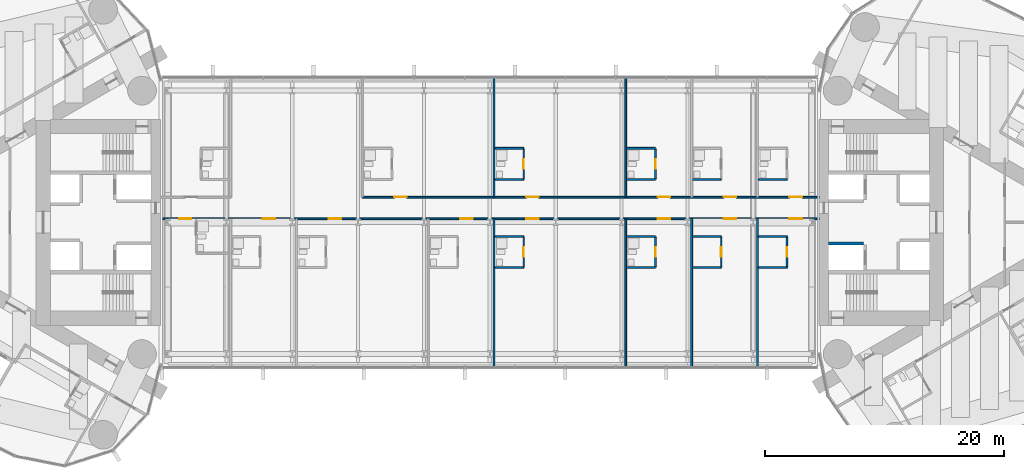
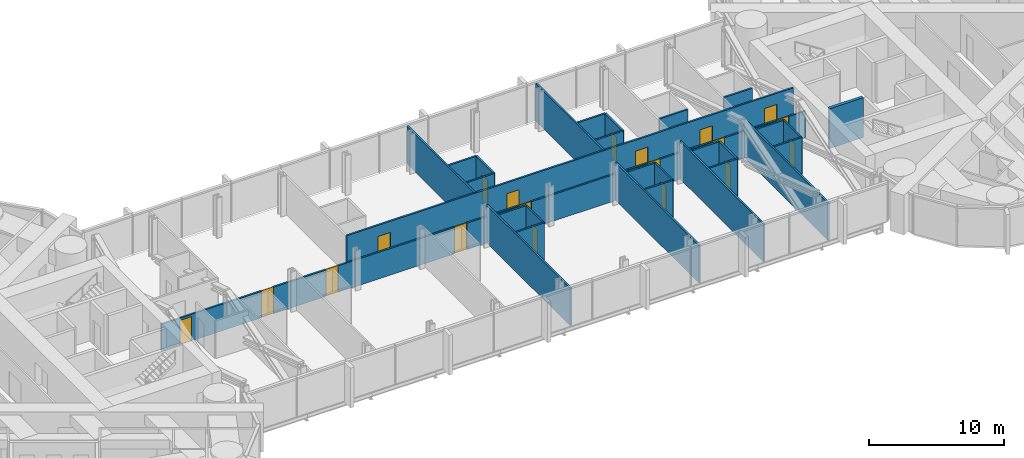
# One storey, part 18 of 23: 29 walls, 19 doors, 19 openings.
"""IFC4 building model written with IfcOpenShell, lengths in metres."""

from ifc_helpers import new_model, si_unit, direction, frame, frame_2d, origin, place, context, subcontext, project, spatial, rectangle, extrude, material, layer, layer_set, type_object, element, fill, save


model = new_model("IFC4")

# Units and contexts
model_context = context("Model", 3, precision=1e-05, world=origin(), true_north=direction((0.0, 1.0)))
body_context = subcontext(model_context, "Body", "Model", "MODEL_VIEW")
ifc_project = project(units=[si_unit("LENGTHUNIT", "METRE"), si_unit("AREAUNIT", "SQUARE_METRE"), si_unit("VOLUMEUNIT", "CUBIC_METRE"), si_unit("PLANEANGLEUNIT", "RADIAN"), si_unit("MASSUNIT", "GRAM", prefix="KILO")], contexts=[model_context])

# Site, building, storey
site_placement = place(None, origin())
site = spatial("IfcSite", under=ifc_project, at=site_placement, CompositionType="ELEMENT")
building_placement = place(site_placement, origin())
building = spatial("IfcBuilding", under=site, at=building_placement, Name="Lancet Gate Hotel", CompositionType="ELEMENT")
storey_placement = place(building_placement, frame((0.0, 0.0, 240.5)))
storey = spatial("IfcBuildingStorey", under=building, at=storey_placement, Name="L64", CompositionType="ELEMENT", Elevation=240.5)

# Walls
ifc_material_1 = material(Name="Moisture resistant board partition")
ifc_layer_1 = layer(ifc_material_1, 0.14990234375)
ifc_layer_set_1 = layer_set([ifc_layer_1], Name="Bathroom wall 150")
wall_type_1 = type_object("IfcWallType", Name="Bathroom wall 150", PredefinedType="PARTITIONING", material=ifc_layer_set_1)
for number, where, z_axis, x_axis, name in (
    (1, (0.425048828125, -3.77490234375, 0.0), (0.0, 0.0, 1.0), (1.0, 0.0, 0.0), "Bridge block bathroom wall 150 L64"),
    (2, (0.425048828125, -1.175048828125, 0.0), (0.0, 0.0, 1.0), (1.0, 0.0, 0.0), "Bridge block bathroom wall 150 L64"),
):
    element("IfcWall", number, at=place(storey_placement, frame(where, z_axis=z_axis, x_axis=x_axis)), inside=storey, type_object=wall_type_1, Name=name, PredefinedType="PARTITIONING", context=body_context, shape_type="SweptSolid", body=[
        extrude(rectangle(XDim=2.39990234375, YDim=0.14990234375, at=frame_2d((1.199951171875, 0.0))), origin(), (0.0, 0.0, 1.0), 3.39990234375),
    ])

# Wall, opening, door
wall_1_placement = place(storey_placement, frame((2.824951171875, -3.77490234375, 0.0), z_axis=(0.0, 0.0, 1.0), x_axis=(0.0, 1.0, 0.0)))
wall_1 = element("IfcWall", 3, at=wall_1_placement, inside=storey, type_object=wall_type_1, Name="Bridge block bathroom wall 150 L64", PredefinedType="PARTITIONING", context=body_context, shape_type="SweptSolid", body=[
    extrude(rectangle(XDim=2.599853515625, YDim=0.14990234375, at=frame_2d((1.2998046875, 0.0))), origin(), (0.0, 0.0, 1.0), 3.39990234375),
])
opening_1_placement = place(wall_1_placement, frame((0.89990234375, 0.0, 0.0)))
opening_1 = element("IfcOpeningElement", 4, at=opening_1_placement, cuts=wall_1, Name="Opening B6406-B", PredefinedType="OPENING", context=body_context, shape_type="SweptSolid", body=[
    extrude(rectangle(XDim=0.800048828125, YDim=2.199951171875, at=frame_2d((0.39990234375, 1.10009765625))), frame((0.0, 0.0849609375, 0.0), z_axis=(0.0, -1.0, 0.0), x_axis=(1.0, 0.0, 0.0)), (0.0, 0.0, 1.0), 0.169921875),
])
ifc_material_2 = material(Name="Timber door set", Category="wood")
door_type_1 = type_object("IfcDoorType", Name="Bathroom door 800", OperationType="SINGLE_SWING_RIGHT", PredefinedType="DOOR", material=ifc_material_2)
door_1_placement = place(opening_1_placement, origin())
door_1 = element("IfcDoor", 5, at=door_1_placement, inside=storey, type_object=door_type_1, Name="B6406-B", OperationType="SINGLE_SWING_RIGHT", OverallHeight=2.199951171875, OverallWidth=0.800048828125, PredefinedType="DOOR", context=body_context, shape_type="SweptSolid", body=[
    extrude(rectangle(XDim=0.800048828125, YDim=2.199951171875, at=frame_2d((0.39990234375, 1.10009765625))), frame((0.0, 0.02490234375, 0.0), z_axis=(0.0, -1.0, 0.0), x_axis=(1.0, 0.0, 0.0)), (0.0, 0.0, 1.0), 0.050048828125),
])
fill(opening_1, door_1)

# Walls
for number, where, z_axis, x_axis, name in (
    (6, (11.425048828125, -3.77490234375, 0.0), (0.0, 0.0, 1.0), (1.0, 0.0, 0.0), "Bridge block bathroom wall 150 L64"),
    (7, (11.425048828125, -1.175048828125, 0.0), (0.0, 0.0, 1.0), (1.0, 0.0, 0.0), "Bridge block bathroom wall 150 L64"),
):
    element("IfcWall", number, at=place(storey_placement, frame(where, z_axis=z_axis, x_axis=x_axis)), inside=storey, type_object=wall_type_1, Name=name, PredefinedType="PARTITIONING", context=body_context, shape_type="SweptSolid", body=[
        extrude(rectangle(XDim=2.39990234375, YDim=0.14990234375, at=frame_2d((1.199951171875, 0.0))), origin(), (0.0, 0.0, 1.0), 3.39990234375),
    ])

# Wall, opening, door
wall_2_placement = place(storey_placement, frame((13.824951171875, -3.77490234375, 0.0), z_axis=(0.0, 0.0, 1.0), x_axis=(0.0, 1.0, 0.0)))
wall_2 = element("IfcWall", 8, at=wall_2_placement, inside=storey, type_object=wall_type_1, Name="Bridge block bathroom wall 150 L64", PredefinedType="PARTITIONING", context=body_context, shape_type="SweptSolid", body=[
    extrude(rectangle(XDim=2.599853515625, YDim=0.14990234375, at=frame_2d((1.2998046875, 0.0))), origin(), (0.0, 0.0, 1.0), 3.39990234375),
])
opening_2_placement = place(wall_2_placement, frame((0.89990234375, 0.0, 0.0)))
opening_2 = element("IfcOpeningElement", 9, at=opening_2_placement, cuts=wall_2, Name="Opening B6408-B", PredefinedType="OPENING", context=body_context, shape_type="SweptSolid", body=[
    extrude(rectangle(XDim=0.800048828125, YDim=2.199951171875, at=frame_2d((0.39990234375, 1.10009765625))), frame((0.0, 0.0849609375, 0.0), z_axis=(0.0, -1.0, 0.0), x_axis=(1.0, 0.0, 0.0)), (0.0, 0.0, 1.0), 0.169921875),
])
door_2_placement = place(opening_2_placement, origin())
door_2 = element("IfcDoor", 10, at=door_2_placement, inside=storey, type_object=door_type_1, Name="B6408-B", OperationType="SINGLE_SWING_RIGHT", OverallHeight=2.199951171875, OverallWidth=0.800048828125, PredefinedType="DOOR", context=body_context, shape_type="SweptSolid", body=[
    extrude(rectangle(XDim=0.800048828125, YDim=2.199951171875, at=frame_2d((0.39990234375, 1.10009765625))), frame((0.0, 0.02490234375, 0.0), z_axis=(0.0, -1.0, 0.0), x_axis=(1.0, 0.0, 0.0)), (0.0, 0.0, 1.0), 0.050048828125),
])
fill(opening_2, door_2)

# Walls
for number, where, z_axis, x_axis, name in (
    (11, (16.925048828125, -3.77490234375, 0.0), (0.0, 0.0, 1.0), (1.0, 0.0, 0.0), "Bridge block bathroom wall 150 L64"),
    (12, (16.925048828125, -1.175048828125, 0.0), (0.0, 0.0, 1.0), (1.0, 0.0, 0.0), "Bridge block bathroom wall 150 L64"),
):
    element("IfcWall", number, at=place(storey_placement, frame(where, z_axis=z_axis, x_axis=x_axis)), inside=storey, type_object=wall_type_1, Name=name, PredefinedType="PARTITIONING", context=body_context, shape_type="SweptSolid", body=[
        extrude(rectangle(XDim=2.39990234375, YDim=0.14990234375, at=frame_2d((1.199951171875, 0.0))), origin(), (0.0, 0.0, 1.0), 3.39990234375),
    ])

# Wall, opening, door
wall_3_placement = place(storey_placement, frame((19.324951171875, -3.77490234375, 0.0), z_axis=(0.0, 0.0, 1.0), x_axis=(0.0, 1.0, 0.0)))
wall_3 = element("IfcWall", 13, at=wall_3_placement, inside=storey, type_object=wall_type_1, Name="Bridge block bathroom wall 150 L64", PredefinedType="PARTITIONING", context=body_context, shape_type="SweptSolid", body=[
    extrude(rectangle(XDim=2.599853515625, YDim=0.14990234375, at=frame_2d((1.2998046875, 0.0))), origin(), (0.0, 0.0, 1.0), 3.39990234375),
])
opening_3_placement = place(wall_3_placement, frame((0.89990234375, 0.0, 0.0)))
opening_3 = element("IfcOpeningElement", 14, at=opening_3_placement, cuts=wall_3, Name="Opening B6409-B", PredefinedType="OPENING", context=body_context, shape_type="SweptSolid", body=[
    extrude(rectangle(XDim=0.800048828125, YDim=2.199951171875, at=frame_2d((0.39990234375, 1.10009765625))), frame((0.0, 0.0849609375, 0.0), z_axis=(0.0, -1.0, 0.0), x_axis=(1.0, 0.0, 0.0)), (0.0, 0.0, 1.0), 0.169921875),
])
door_3_placement = place(opening_3_placement, origin())
door_3 = element("IfcDoor", 15, at=door_3_placement, inside=storey, type_object=door_type_1, Name="B6409-B", OperationType="SINGLE_SWING_RIGHT", OverallHeight=2.199951171875, OverallWidth=0.800048828125, PredefinedType="DOOR", context=body_context, shape_type="SweptSolid", body=[
    extrude(rectangle(XDim=0.800048828125, YDim=2.199951171875, at=frame_2d((0.39990234375, 1.10009765625))), frame((0.0, 0.02490234375, 0.0), z_axis=(0.0, -1.0, 0.0), x_axis=(1.0, 0.0, 0.0)), (0.0, 0.0, 1.0), 0.050048828125),
])
fill(opening_3, door_3)

# Walls
for number, where, z_axis, x_axis, name in (
    (16, (22.425048828125, -3.77490234375, 0.0), (0.0, 0.0, 1.0), (1.0, 0.0, 0.0), "Bridge block bathroom wall 150 L64"),
    (17, (22.425048828125, -1.175048828125, 0.0), (0.0, 0.0, 1.0), (1.0, 0.0, 0.0), "Bridge block bathroom wall 150 L64"),
):
    element("IfcWall", number, at=place(storey_placement, frame(where, z_axis=z_axis, x_axis=x_axis)), inside=storey, type_object=wall_type_1, Name=name, PredefinedType="PARTITIONING", context=body_context, shape_type="SweptSolid", body=[
        extrude(rectangle(XDim=2.39990234375, YDim=0.14990234375, at=frame_2d((1.199951171875, 0.0))), origin(), (0.0, 0.0, 1.0), 3.39990234375),
    ])

# Wall, opening, door
wall_4_placement = place(storey_placement, frame((24.824951171875, -3.77490234375, 0.0), z_axis=(0.0, 0.0, 1.0), x_axis=(0.0, 1.0, 0.0)))
wall_4 = element("IfcWall", 18, at=wall_4_placement, inside=storey, type_object=wall_type_1, Name="Bridge block bathroom wall 150 L64", PredefinedType="PARTITIONING", context=body_context, shape_type="SweptSolid", body=[
    extrude(rectangle(XDim=2.599853515625, YDim=0.14990234375, at=frame_2d((1.2998046875, 0.0))), origin(), (0.0, 0.0, 1.0), 3.39990234375),
])
opening_4_placement = place(wall_4_placement, frame((0.89990234375, 0.0, 0.0)))
opening_4 = element("IfcOpeningElement", 19, at=opening_4_placement, cuts=wall_4, Name="Opening B6410-B", PredefinedType="OPENING", context=body_context, shape_type="SweptSolid", body=[
    extrude(rectangle(XDim=0.800048828125, YDim=2.199951171875, at=frame_2d((0.39990234375, 1.10009765625))), frame((0.0, 0.0849609375, 0.0), z_axis=(0.0, -1.0, 0.0), x_axis=(1.0, 0.0, 0.0)), (0.0, 0.0, 1.0), 0.169921875),
])
door_4_placement = place(opening_4_placement, origin())
door_4 = element("IfcDoor", 20, at=door_4_placement, inside=storey, type_object=door_type_1, Name="B6410-B", OperationType="SINGLE_SWING_RIGHT", OverallHeight=2.199951171875, OverallWidth=0.800048828125, PredefinedType="DOOR", context=body_context, shape_type="SweptSolid", body=[
    extrude(rectangle(XDim=0.800048828125, YDim=2.199951171875, at=frame_2d((0.39990234375, 1.10009765625))), frame((0.0, 0.02490234375, 0.0), z_axis=(0.0, -1.0, 0.0), x_axis=(1.0, 0.0, 0.0)), (0.0, 0.0, 1.0), 0.050048828125),
])
fill(opening_4, door_4)

# Walls
for number, where, z_axis, x_axis, name in (
    (21, (0.425048828125, 6.175048828125, 0.0), (0.0, 0.0, 1.0), (1.0, 0.0, 0.0), "Bridge block bathroom wall 150 L64"),
    (22, (0.425048828125, 3.574951171875, 0.0), (0.0, 0.0, 1.0), (1.0, 0.0, 0.0), "Bridge block bathroom wall 150 L64"),
):
    element("IfcWall", number, at=place(storey_placement, frame(where, z_axis=z_axis, x_axis=x_axis)), inside=storey, type_object=wall_type_1, Name=name, PredefinedType="PARTITIONING", context=body_context, shape_type="SweptSolid", body=[
        extrude(rectangle(XDim=2.39990234375, YDim=0.14990234375, at=frame_2d((1.199951171875, 0.0))), origin(), (0.0, 0.0, 1.0), 3.39990234375),
    ])

# Wall, opening, door
wall_5_placement = place(storey_placement, frame((2.824951171875, 3.574951171875, 0.0), z_axis=(0.0, 0.0, 1.0), x_axis=(0.0, 1.0, 0.0)))
wall_5 = element("IfcWall", 23, at=wall_5_placement, inside=storey, type_object=wall_type_1, Name="Bridge block bathroom wall 150 L64", PredefinedType="PARTITIONING", context=body_context, shape_type="SweptSolid", body=[
    extrude(rectangle(XDim=2.60009765625, YDim=0.14990234375, at=frame_2d((1.300048828125, 0.0))), origin(), (0.0, 0.0, 1.0), 3.39990234375),
])
opening_5_placement = place(wall_5_placement, frame((0.89990234375, 0.0, 0.0)))
opening_5 = element("IfcOpeningElement", 24, at=opening_5_placement, cuts=wall_5, Name="Opening B6416-B", PredefinedType="OPENING", context=body_context, shape_type="SweptSolid", body=[
    extrude(rectangle(XDim=0.800048828125, YDim=2.199951171875, at=frame_2d((0.39990234375, 1.10009765625))), frame((0.0, 0.0849609375, 0.0), z_axis=(0.0, -1.0, 0.0), x_axis=(1.0, 0.0, 0.0)), (0.0, 0.0, 1.0), 0.169921875),
])
door_5_placement = place(opening_5_placement, origin())
door_5 = element("IfcDoor", 25, at=door_5_placement, inside=storey, type_object=door_type_1, Name="B6416-B", OperationType="SINGLE_SWING_RIGHT", OverallHeight=2.199951171875, OverallWidth=0.800048828125, PredefinedType="DOOR", context=body_context, shape_type="SweptSolid", body=[
    extrude(rectangle(XDim=0.800048828125, YDim=2.199951171875, at=frame_2d((0.39990234375, 1.10009765625))), frame((0.0, 0.02490234375, 0.0), z_axis=(0.0, -1.0, 0.0), x_axis=(1.0, 0.0, 0.0)), (0.0, 0.0, 1.0), 0.050048828125),
])
fill(opening_5, door_5)

# Walls
for number, where, z_axis, x_axis, name in (
    (26, (11.425048828125, 6.175048828125, 0.0), (0.0, 0.0, 1.0), (1.0, 0.0, 0.0), "Bridge block bathroom wall 150 L64"),
    (27, (11.425048828125, 3.574951171875, 0.0), (0.0, 0.0, 1.0), (1.0, 0.0, 0.0), "Bridge block bathroom wall 150 L64"),
):
    element("IfcWall", number, at=place(storey_placement, frame(where, z_axis=z_axis, x_axis=x_axis)), inside=storey, type_object=wall_type_1, Name=name, PredefinedType="PARTITIONING", context=body_context, shape_type="SweptSolid", body=[
        extrude(rectangle(XDim=2.39990234375, YDim=0.14990234375, at=frame_2d((1.199951171875, 0.0))), origin(), (0.0, 0.0, 1.0), 3.39990234375),
    ])

# Wall, opening, door
wall_6_placement = place(storey_placement, frame((13.824951171875, 3.574951171875, 0.0), z_axis=(0.0, 0.0, 1.0), x_axis=(0.0, 1.0, 0.0)))
wall_6 = element("IfcWall", 28, at=wall_6_placement, inside=storey, type_object=wall_type_1, Name="Bridge block bathroom wall 150 L64", PredefinedType="PARTITIONING", context=body_context, shape_type="SweptSolid", body=[
    extrude(rectangle(XDim=2.60009765625, YDim=0.14990234375, at=frame_2d((1.300048828125, 0.0))), origin(), (0.0, 0.0, 1.0), 3.39990234375),
])
opening_6_placement = place(wall_6_placement, frame((0.89990234375, 0.0, 0.0)))
opening_6 = element("IfcOpeningElement", 29, at=opening_6_placement, cuts=wall_6, Name="Opening B6418-B", PredefinedType="OPENING", context=body_context, shape_type="SweptSolid", body=[
    extrude(rectangle(XDim=0.800048828125, YDim=2.199951171875, at=frame_2d((0.39990234375, 1.10009765625))), frame((0.0, 0.0849609375, 0.0), z_axis=(0.0, -1.0, 0.0), x_axis=(1.0, 0.0, 0.0)), (0.0, 0.0, 1.0), 0.169921875),
])
door_6_placement = place(opening_6_placement, origin())
door_6 = element("IfcDoor", 30, at=door_6_placement, inside=storey, type_object=door_type_1, Name="B6418-B", OperationType="SINGLE_SWING_RIGHT", OverallHeight=2.199951171875, OverallWidth=0.800048828125, PredefinedType="DOOR", context=body_context, shape_type="SweptSolid", body=[
    extrude(rectangle(XDim=0.800048828125, YDim=2.199951171875, at=frame_2d((0.39990234375, 1.10009765625))), frame((0.0, 0.02490234375, 0.0), z_axis=(0.0, -1.0, 0.0), x_axis=(1.0, 0.0, 0.0)), (0.0, 0.0, 1.0), 0.050048828125),
])
fill(opening_6, door_6)

# Walls
for number, where, z_axis, x_axis, name in (
    (31, (16.925048828125, 3.574951171875, 0.0), (0.0, 0.0, 1.0), (1.0, 0.0, 0.0), "Bridge block bathroom wall 150 L64"),
    (32, (22.425048828125, 3.574951171875, 0.0), (0.0, 0.0, 1.0), (1.0, 0.0, 0.0), "Bridge block bathroom wall 150 L64"),
):
    element("IfcWall", number, at=place(storey_placement, frame(where, z_axis=z_axis, x_axis=x_axis)), inside=storey, type_object=wall_type_1, Name=name, PredefinedType="PARTITIONING", context=body_context, shape_type="SweptSolid", body=[
        extrude(rectangle(XDim=2.39990234375, YDim=0.14990234375, at=frame_2d((1.199951171875, 0.0))), origin(), (0.0, 0.0, 1.0), 3.39990234375),
    ])

# Wall, openings, doors
ifc_material_3 = material(Name="Gypsum board partition")
ifc_layer_2 = layer(ifc_material_3, 0.14990234375)
ifc_layer_set_2 = layer_set([ifc_layer_2], Name="Block corridor wall 150")
wall_type_2 = type_object("IfcWallType", Name="Block corridor wall 150", PredefinedType="PARTITIONING", material=ifc_layer_set_2)
wall_7_placement = place(storey_placement, frame((-27.5, 0.300048828125, 0.0), z_axis=(0.0, 0.0, 1.0), x_axis=(1.0, 0.0, 0.0)))
wall_7 = element("IfcWall", 33, at=wall_7_placement, inside=storey, type_object=wall_type_2, Name="Bridge block block corridor wall 150 L64", PredefinedType="PARTITIONING", context=body_context, shape_type="SweptSolid", body=[
    extrude(rectangle(XDim=55.0, YDim=0.14990234375, at=frame_2d((27.5, 0.0))), origin(), (0.0, 0.0, 1.0), 2.39990234375),
])
opening_7_placement = place(wall_7_placement, frame((1.574951171875, 0.0, 0.0)))
opening_7 = element("IfcOpeningElement", 34, at=opening_7_placement, cuts=wall_7, Name="Opening B6401", PredefinedType="OPENING", context=body_context, shape_type="SweptSolid", body=[
    extrude(rectangle(XDim=1.0, YDim=2.199951171875, at=frame_2d((0.5, 1.10009765625))), frame((0.0, 0.0849609375, 0.0), z_axis=(0.0, -1.0, 0.0), x_axis=(1.0, 0.0, 0.0)), (0.0, 0.0, 1.0), 0.169921875),
])
opening_8_placement = place(wall_7_placement, frame((8.52490234375, 0.0, 0.0)))
opening_8 = element("IfcOpeningElement", 35, at=opening_8_placement, cuts=wall_7, Name="Opening B6402", PredefinedType="OPENING", context=body_context, shape_type="SweptSolid", body=[
    extrude(rectangle(XDim=1.050048828125, YDim=2.39990234375, at=frame_2d((0.52490234375, 1.199951171875))), frame((0.0, 0.0849609375, 0.0), z_axis=(0.0, -1.0, 0.0), x_axis=(1.0, 0.0, 0.0)), (0.0, 0.0, 1.0), 0.169921875),
])
opening_9_placement = place(wall_7_placement, frame((14.02490234375, 0.0, 0.0)))
opening_9 = element("IfcOpeningElement", 36, at=opening_9_placement, cuts=wall_7, Name="Opening B6403", PredefinedType="OPENING", context=body_context, shape_type="SweptSolid", body=[
    extrude(rectangle(XDim=1.050048828125, YDim=2.39990234375, at=frame_2d((0.52490234375, 1.199951171875))), frame((0.0, 0.0849609375, 0.0), z_axis=(0.0, -1.0, 0.0), x_axis=(1.0, 0.0, 0.0)), (0.0, 0.0, 1.0), 0.169921875),
])
opening_10_placement = place(wall_7_placement, frame((25.02490234375, 0.0, 0.0)))
opening_10 = element("IfcOpeningElement", 37, at=opening_10_placement, cuts=wall_7, Name="Opening B6405", PredefinedType="OPENING", context=body_context, shape_type="SweptSolid", body=[
    extrude(rectangle(XDim=1.050048828125, YDim=2.39990234375, at=frame_2d((0.52490234375, 1.199951171875))), frame((0.0, 0.0849609375, 0.0), z_axis=(0.0, -1.0, 0.0), x_axis=(1.0, 0.0, 0.0)), (0.0, 0.0, 1.0), 0.169921875),
])
opening_11_placement = place(wall_7_placement, frame((30.52490234375, 0.0, 0.0)))
opening_11 = element("IfcOpeningElement", 38, at=opening_11_placement, cuts=wall_7, Name="Opening B6406", PredefinedType="OPENING", context=body_context, shape_type="SweptSolid", body=[
    extrude(rectangle(XDim=1.050048828125, YDim=2.39990234375, at=frame_2d((0.52490234375, 1.199951171875))), frame((0.0, 0.0849609375, 0.0), z_axis=(0.0, -1.0, 0.0), x_axis=(1.0, 0.0, 0.0)), (0.0, 0.0, 1.0), 0.169921875),
])
opening_12_placement = place(wall_7_placement, frame((41.52490234375, 0.0, 0.0)))
opening_12 = element("IfcOpeningElement", 39, at=opening_12_placement, cuts=wall_7, Name="Opening B6408", PredefinedType="OPENING", context=body_context, shape_type="SweptSolid", body=[
    extrude(rectangle(XDim=1.050048828125, YDim=2.39990234375, at=frame_2d((0.52490234375, 1.199951171875))), frame((0.0, 0.0849609375, 0.0), z_axis=(0.0, -1.0, 0.0), x_axis=(1.0, 0.0, 0.0)), (0.0, 0.0, 1.0), 0.169921875),
])
opening_13_placement = place(wall_7_placement, frame((47.02490234375, 0.0, 0.0)))
opening_13 = element("IfcOpeningElement", 40, at=opening_13_placement, cuts=wall_7, Name="Opening B6409", PredefinedType="OPENING", context=body_context, shape_type="SweptSolid", body=[
    extrude(rectangle(XDim=1.050048828125, YDim=2.39990234375, at=frame_2d((0.52490234375, 1.199951171875))), frame((0.0, 0.0849609375, 0.0), z_axis=(0.0, -1.0, 0.0), x_axis=(1.0, 0.0, 0.0)), (0.0, 0.0, 1.0), 0.169921875),
])
opening_14_placement = place(wall_7_placement, frame((52.52490234375, 0.0, 0.0)))
opening_14 = element("IfcOpeningElement", 41, at=opening_14_placement, cuts=wall_7, Name="Opening B6410", PredefinedType="OPENING", context=body_context, shape_type="SweptSolid", body=[
    extrude(rectangle(XDim=1.050048828125, YDim=2.39990234375, at=frame_2d((0.52490234375, 1.199951171875))), frame((0.0, 0.0849609375, 0.0), z_axis=(0.0, -1.0, 0.0), x_axis=(1.0, 0.0, 0.0)), (0.0, 0.0, 1.0), 0.169921875),
])
ifc_material_4 = material(Name="Timber door set", Category="wood")
door_type_2 = type_object("IfcDoorType", Name="Accessible guest room door 1000", OperationType="SINGLE_SWING_LEFT", PredefinedType="DOOR", material=ifc_material_4)
door_7_placement = place(opening_7_placement, origin())
door_7 = element("IfcDoor", 42, at=door_7_placement, inside=storey, type_object=door_type_2, Name="B6401", OperationType="SINGLE_SWING_LEFT", OverallHeight=2.199951171875, OverallWidth=1.0, PredefinedType="DOOR", context=body_context, shape_type="SweptSolid", body=[
    extrude(rectangle(XDim=1.0, YDim=2.199951171875, at=frame_2d((0.5, 1.10009765625))), frame((0.0, 0.02490234375, 0.0), z_axis=(0.0, -1.0, 0.0), x_axis=(1.0, 0.0, 0.0)), (0.0, 0.0, 1.0), 0.050048828125),
])
fill(opening_7, door_7)
ifc_material_5 = material(Name="Timber door set", Category="wood")
door_type_3 = type_object("IfcDoorType", Name="Suite entry door 1050", OperationType="SINGLE_SWING_LEFT", PredefinedType="DOOR", material=ifc_material_5)
door_8_placement = place(opening_8_placement, origin())
door_8 = element("IfcDoor", 43, at=door_8_placement, inside=storey, type_object=door_type_3, Name="B6402", OperationType="SINGLE_SWING_LEFT", OverallHeight=2.39990234375, OverallWidth=1.050048828125, PredefinedType="DOOR", context=body_context, shape_type="SweptSolid", body=[
    extrude(rectangle(XDim=1.050048828125, YDim=2.39990234375, at=frame_2d((0.52490234375, 1.199951171875))), frame((0.0, 0.02490234375, 0.0), z_axis=(0.0, -1.0, 0.0), x_axis=(1.0, 0.0, 0.0)), (0.0, 0.0, 1.0), 0.050048828125),
])
fill(opening_8, door_8)
door_9_placement = place(opening_9_placement, origin())
door_9 = element("IfcDoor", 44, at=door_9_placement, inside=storey, type_object=door_type_3, Name="B6403", OperationType="SINGLE_SWING_LEFT", OverallHeight=2.39990234375, OverallWidth=1.050048828125, PredefinedType="DOOR", context=body_context, shape_type="SweptSolid", body=[
    extrude(rectangle(XDim=1.050048828125, YDim=2.39990234375, at=frame_2d((0.52490234375, 1.199951171875))), frame((0.0, 0.02490234375, 0.0), z_axis=(0.0, -1.0, 0.0), x_axis=(1.0, 0.0, 0.0)), (0.0, 0.0, 1.0), 0.050048828125),
])
fill(opening_9, door_9)
door_10_placement = place(opening_10_placement, origin())
door_10 = element("IfcDoor", 45, at=door_10_placement, inside=storey, type_object=door_type_3, Name="B6405", OperationType="SINGLE_SWING_LEFT", OverallHeight=2.39990234375, OverallWidth=1.050048828125, PredefinedType="DOOR", context=body_context, shape_type="SweptSolid", body=[
    extrude(rectangle(XDim=1.050048828125, YDim=2.39990234375, at=frame_2d((0.52490234375, 1.199951171875))), frame((0.0, 0.02490234375, 0.0), z_axis=(0.0, -1.0, 0.0), x_axis=(1.0, 0.0, 0.0)), (0.0, 0.0, 1.0), 0.050048828125),
])
fill(opening_10, door_10)
door_11_placement = place(opening_11_placement, origin())
door_11 = element("IfcDoor", 46, at=door_11_placement, inside=storey, type_object=door_type_3, Name="B6406", OperationType="SINGLE_SWING_LEFT", OverallHeight=2.39990234375, OverallWidth=1.050048828125, PredefinedType="DOOR", context=body_context, shape_type="SweptSolid", body=[
    extrude(rectangle(XDim=1.050048828125, YDim=2.39990234375, at=frame_2d((0.52490234375, 1.199951171875))), frame((0.0, 0.02490234375, 0.0), z_axis=(0.0, -1.0, 0.0), x_axis=(1.0, 0.0, 0.0)), (0.0, 0.0, 1.0), 0.050048828125),
])
fill(opening_11, door_11)
door_12_placement = place(opening_12_placement, origin())
door_12 = element("IfcDoor", 47, at=door_12_placement, inside=storey, type_object=door_type_3, Name="B6408", OperationType="SINGLE_SWING_LEFT", OverallHeight=2.39990234375, OverallWidth=1.050048828125, PredefinedType="DOOR", context=body_context, shape_type="SweptSolid", body=[
    extrude(rectangle(XDim=1.050048828125, YDim=2.39990234375, at=frame_2d((0.52490234375, 1.199951171875))), frame((0.0, 0.02490234375, 0.0), z_axis=(0.0, -1.0, 0.0), x_axis=(1.0, 0.0, 0.0)), (0.0, 0.0, 1.0), 0.050048828125),
])
fill(opening_12, door_12)
door_13_placement = place(opening_13_placement, origin())
door_13 = element("IfcDoor", 48, at=door_13_placement, inside=storey, type_object=door_type_3, Name="B6409", OperationType="SINGLE_SWING_LEFT", OverallHeight=2.39990234375, OverallWidth=1.050048828125, PredefinedType="DOOR", context=body_context, shape_type="SweptSolid", body=[
    extrude(rectangle(XDim=1.050048828125, YDim=2.39990234375, at=frame_2d((0.52490234375, 1.199951171875))), frame((0.0, 0.02490234375, 0.0), z_axis=(0.0, -1.0, 0.0), x_axis=(1.0, 0.0, 0.0)), (0.0, 0.0, 1.0), 0.050048828125),
])
fill(opening_13, door_13)
door_14_placement = place(opening_14_placement, origin())
door_14 = element("IfcDoor", 49, at=door_14_placement, inside=storey, type_object=door_type_3, Name="B6410", OperationType="SINGLE_SWING_LEFT", OverallHeight=2.39990234375, OverallWidth=1.050048828125, PredefinedType="DOOR", context=body_context, shape_type="SweptSolid", body=[
    extrude(rectangle(XDim=1.050048828125, YDim=2.39990234375, at=frame_2d((0.52490234375, 1.199951171875))), frame((0.0, 0.02490234375, 0.0), z_axis=(0.0, -1.0, 0.0), x_axis=(1.0, 0.0, 0.0)), (0.0, 0.0, 1.0), 0.050048828125),
])
fill(opening_14, door_14)

wall_8_placement = place(storey_placement, frame((-10.64990234375, 2.10009765625, 0.0), z_axis=(0.0, 0.0, 1.0), x_axis=(1.0, 0.0, 0.0)))
wall_8 = element("IfcWall", 50, at=wall_8_placement, inside=storey, type_object=wall_type_2, Name="Bridge block block corridor wall 150 L64", PredefinedType="PARTITIONING", context=body_context, shape_type="SweptSolid", body=[
    extrude(rectangle(XDim=38.14990234375, YDim=0.14990234375, at=frame_2d((19.074951171875, 0.0))), origin(), (0.0, 0.0, 1.0), 3.39990234375),
])
opening_15_placement = place(wall_8_placement, frame((2.675048828125, 0.0, 0.0)))
opening_15 = element("IfcOpeningElement", 51, at=opening_15_placement, cuts=wall_8, Name="Opening B6414", PredefinedType="OPENING", context=body_context, shape_type="SweptSolid", body=[
    extrude(rectangle(XDim=1.050048828125, YDim=2.39990234375, at=frame_2d((0.52490234375, 1.199951171875))), frame((0.0, 0.0849609375, 0.0), z_axis=(0.0, -1.0, 0.0), x_axis=(1.0, 0.0, 0.0)), (0.0, 0.0, 1.0), 0.169921875),
])
opening_16_placement = place(wall_8_placement, frame((13.675048828125, 0.0, 0.0)))
opening_16 = element("IfcOpeningElement", 52, at=opening_16_placement, cuts=wall_8, Name="Opening B6416", PredefinedType="OPENING", context=body_context, shape_type="SweptSolid", body=[
    extrude(rectangle(XDim=1.050048828125, YDim=2.39990234375, at=frame_2d((0.52490234375, 1.199951171875))), frame((0.0, 0.0849609375, 0.0), z_axis=(0.0, -1.0, 0.0), x_axis=(1.0, 0.0, 0.0)), (0.0, 0.0, 1.0), 0.169921875),
])
opening_17_placement = place(wall_8_placement, frame((24.675048828125, 0.0, 0.0)))
opening_17 = element("IfcOpeningElement", 53, at=opening_17_placement, cuts=wall_8, Name="Opening B6418", PredefinedType="OPENING", context=body_context, shape_type="SweptSolid", body=[
    extrude(rectangle(XDim=1.050048828125, YDim=2.39990234375, at=frame_2d((0.52490234375, 1.199951171875))), frame((0.0, 0.0849609375, 0.0), z_axis=(0.0, -1.0, 0.0), x_axis=(1.0, 0.0, 0.0)), (0.0, 0.0, 1.0), 0.169921875),
])
opening_18_placement = place(wall_8_placement, frame((30.175048828125, 0.0, 0.0)))
opening_18 = element("IfcOpeningElement", 54, at=opening_18_placement, cuts=wall_8, Name="Opening B6419", PredefinedType="OPENING", context=body_context, shape_type="SweptSolid", body=[
    extrude(rectangle(XDim=1.050048828125, YDim=2.39990234375, at=frame_2d((0.52490234375, 1.199951171875))), frame((0.0, 0.0849609375, 0.0), z_axis=(0.0, -1.0, 0.0), x_axis=(1.0, 0.0, 0.0)), (0.0, 0.0, 1.0), 0.169921875),
])
opening_19_placement = place(wall_8_placement, frame((35.675048828125, 0.0, 0.0)))
opening_19 = element("IfcOpeningElement", 55, at=opening_19_placement, cuts=wall_8, Name="Opening B6420", PredefinedType="OPENING", context=body_context, shape_type="SweptSolid", body=[
    extrude(rectangle(XDim=1.050048828125, YDim=2.39990234375, at=frame_2d((0.52490234375, 1.199951171875))), frame((0.0, 0.0849609375, 0.0), z_axis=(0.0, -1.0, 0.0), x_axis=(1.0, 0.0, 0.0)), (0.0, 0.0, 1.0), 0.169921875),
])
door_15_placement = place(opening_15_placement, origin())
door_15 = element("IfcDoor", 56, at=door_15_placement, inside=storey, type_object=door_type_3, Name="B6414", OperationType="SINGLE_SWING_LEFT", OverallHeight=2.39990234375, OverallWidth=1.050048828125, PredefinedType="DOOR", context=body_context, shape_type="SweptSolid", body=[
    extrude(rectangle(XDim=1.050048828125, YDim=2.39990234375, at=frame_2d((0.52490234375, 1.199951171875))), frame((0.0, 0.02490234375, 0.0), z_axis=(0.0, -1.0, 0.0), x_axis=(1.0, 0.0, 0.0)), (0.0, 0.0, 1.0), 0.050048828125),
])
fill(opening_15, door_15)
door_16_placement = place(opening_16_placement, origin())
door_16 = element("IfcDoor", 57, at=door_16_placement, inside=storey, type_object=door_type_3, Name="B6416", OperationType="SINGLE_SWING_LEFT", OverallHeight=2.39990234375, OverallWidth=1.050048828125, PredefinedType="DOOR", context=body_context, shape_type="SweptSolid", body=[
    extrude(rectangle(XDim=1.050048828125, YDim=2.39990234375, at=frame_2d((0.52490234375, 1.199951171875))), frame((0.0, 0.02490234375, 0.0), z_axis=(0.0, -1.0, 0.0), x_axis=(1.0, 0.0, 0.0)), (0.0, 0.0, 1.0), 0.050048828125),
])
fill(opening_16, door_16)
door_17_placement = place(opening_17_placement, origin())
door_17 = element("IfcDoor", 58, at=door_17_placement, inside=storey, type_object=door_type_3, Name="B6418", OperationType="SINGLE_SWING_LEFT", OverallHeight=2.39990234375, OverallWidth=1.050048828125, PredefinedType="DOOR", context=body_context, shape_type="SweptSolid", body=[
    extrude(rectangle(XDim=1.050048828125, YDim=2.39990234375, at=frame_2d((0.52490234375, 1.199951171875))), frame((0.0, 0.02490234375, 0.0), z_axis=(0.0, -1.0, 0.0), x_axis=(1.0, 0.0, 0.0)), (0.0, 0.0, 1.0), 0.050048828125),
])
fill(opening_17, door_17)
door_18_placement = place(opening_18_placement, origin())
door_18 = element("IfcDoor", 59, at=door_18_placement, inside=storey, type_object=door_type_3, Name="B6419", OperationType="SINGLE_SWING_LEFT", OverallHeight=2.39990234375, OverallWidth=1.050048828125, PredefinedType="DOOR", context=body_context, shape_type="SweptSolid", body=[
    extrude(rectangle(XDim=1.050048828125, YDim=2.39990234375, at=frame_2d((0.52490234375, 1.199951171875))), frame((0.0, 0.02490234375, 0.0), z_axis=(0.0, -1.0, 0.0), x_axis=(1.0, 0.0, 0.0)), (0.0, 0.0, 1.0), 0.050048828125),
])
fill(opening_18, door_18)
door_19_placement = place(opening_19_placement, origin())
door_19 = element("IfcDoor", 60, at=door_19_placement, inside=storey, type_object=door_type_3, Name="B6420", OperationType="SINGLE_SWING_LEFT", OverallHeight=2.39990234375, OverallWidth=1.050048828125, PredefinedType="DOOR", context=body_context, shape_type="SweptSolid", body=[
    extrude(rectangle(XDim=1.050048828125, YDim=2.39990234375, at=frame_2d((0.52490234375, 1.199951171875))), frame((0.0, 0.02490234375, 0.0), z_axis=(0.0, -1.0, 0.0), x_axis=(1.0, 0.0, 0.0)), (0.0, 0.0, 1.0), 0.050048828125),
])
fill(opening_19, door_19)

# Walls
ifc_material_6 = material(Name="Concrete C50/60", Category="concrete")
ifc_layer_3 = layer(ifc_material_6, 0.25)
ifc_layer_set_3 = layer_set([ifc_layer_3], Name="Lift shaft wall 250")
wall_type_3 = type_object("IfcWallType", Name="Lift shaft wall 250", PredefinedType="SHEAR", material=ifc_layer_set_3)
wall_9_placement = place(storey_placement, frame((28.300048828125, -1.77490234375, 0.0), z_axis=(0.0, 0.0, 1.0), x_axis=(1.0, 0.0, 0.0)))
element("IfcWall", 61, at=wall_9_placement, inside=storey, type_object=wall_type_3, Name="T2 core wall pass1-S L64", PredefinedType="SHEAR", context=body_context, shape_type="SweptSolid", body=[
    extrude(rectangle(XDim=2.89990234375, YDim=0.25, at=frame_2d((1.449951171875, 0.0))), origin(), (0.0, 0.0, 1.0), 3.60009765625),
])
ifc_material_7 = material(Name="Gypsum board partition")
ifc_layer_4 = layer(ifc_material_7, 0.14990234375)
ifc_layer_set_4 = layer_set([ifc_layer_4], Name="Party wall 150")
wall_type_4 = type_object("IfcWallType", Name="Party wall 150", PredefinedType="PARTITIONING", material=ifc_layer_set_4)
for number, where, z_axis, x_axis, name in (
    (62, (0.35009765625, -12.070068359375, 0.0), (0.0, 0.0, 1.0), (0.0, 1.0, 0.0), "Bridge block party wall 150 L64"),
    (63, (11.35009765625, -12.070068359375, 0.0), (0.0, 0.0, 1.0), (0.0, 1.0, 0.0), "Bridge block party wall 150 L64"),
    (64, (16.85009765625, -12.070068359375, 0.0), (0.0, 0.0, 1.0), (0.0, 1.0, 0.0), "Bridge block party wall 150 L64"),
    (65, (22.35009765625, -12.070068359375, 0.0), (0.0, 0.0, 1.0), (0.0, 1.0, 0.0), "Bridge block party wall 150 L64"),
):
    element("IfcWall", number, at=place(storey_placement, frame(where, z_axis=z_axis, x_axis=x_axis)), inside=storey, type_object=wall_type_4, Name=name, PredefinedType="PARTITIONING", context=body_context, shape_type="SweptSolid", body=[
        extrude(rectangle(XDim=12.3701171875, YDim=0.14990234375, at=frame_2d((6.18505859375, 0.0))), origin(), (0.0, 0.0, 1.0), 3.39990234375),
    ])
for number, where, z_axis, x_axis, name in (
    (66, (0.35009765625, 2.10009765625, 0.0), (0.0, 0.0, 1.0), (0.0, 1.0, 0.0), "Bridge block party wall 150 L64"),
    (67, (11.35009765625, 2.10009765625, 0.0), (0.0, 0.0, 1.0), (0.0, 1.0, 0.0), "Bridge block party wall 150 L64"),
):
    element("IfcWall", number, at=place(storey_placement, frame(where, z_axis=z_axis, x_axis=x_axis)), inside=storey, type_object=wall_type_4, Name=name, PredefinedType="PARTITIONING", context=body_context, shape_type="SweptSolid", body=[
        extrude(rectangle(XDim=9.969970703125, YDim=0.14990234375, at=frame_2d((4.98486328125, 0.0))), origin(), (0.0, 0.0, 1.0), 3.39990234375),
    ])

save(model, "model.ifc")
